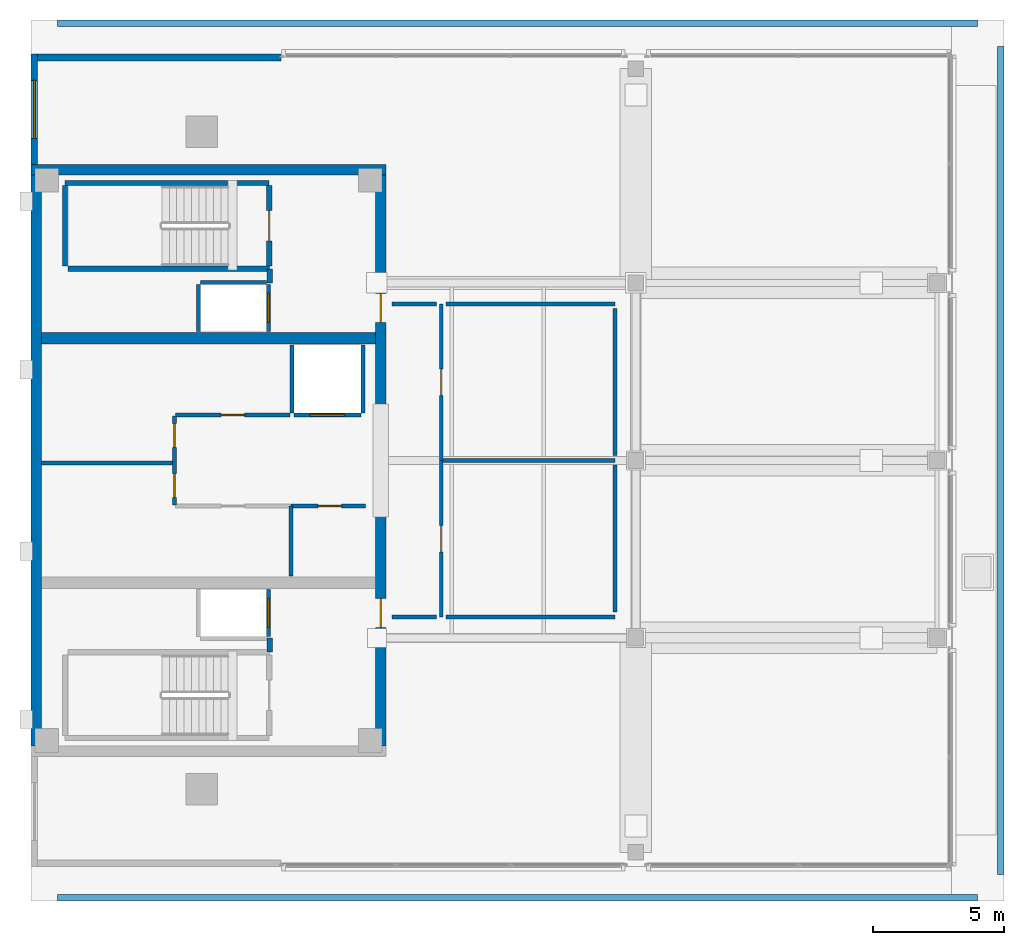
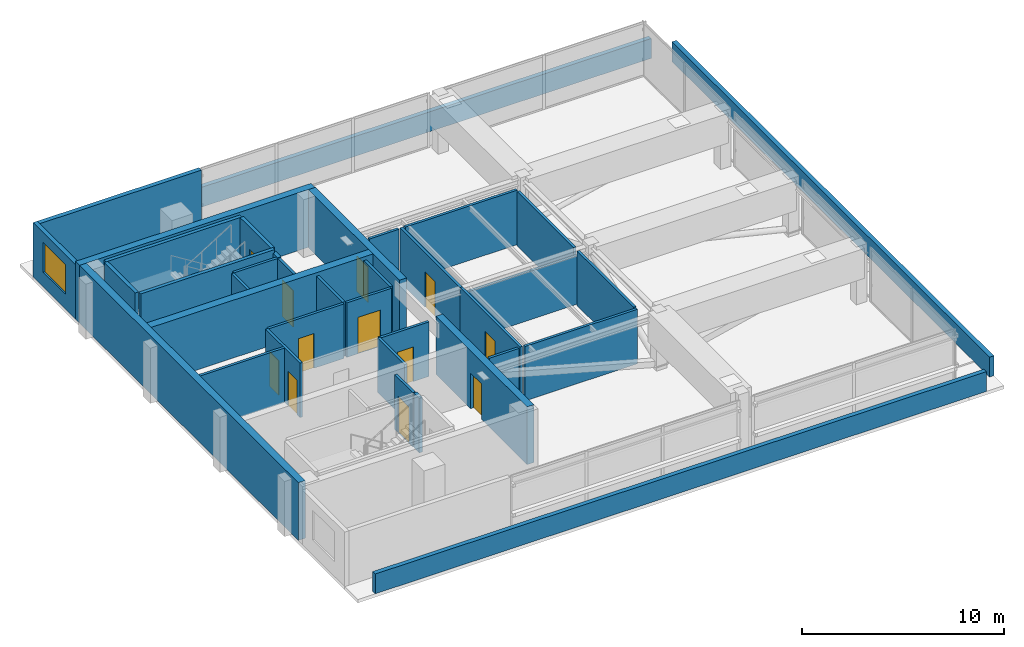
# One storey, part 6 of 11: 37 walls, 12 doors, 1 window, 13 openings.
"""IFC4 building model written with IfcOpenShell, lengths in metres."""

import ifcopenshell
import ifcopenshell.guid

model = None  # the IFC model being written
_history = None  # IfcOwnerHistory: only IFC2X3 demands one
_inside = {}  # id of a spatial element -> (the spatial element, [elements in it])
_under = {}  # id of a project, library or spatial element -> (it, [spatial elements below it])
_declared = {}  # id of a project -> (the project, [libraries it declares])
_typed = {}  # id of a type object -> (the type object, [elements of that type])
_made_of = {}  # id of a material, layer set ... -> (it, [elements and type objects made of it])


def new_model(schema):
    """Start an empty IFC model of exactly this schema.

    Asked for "IFC4X3", IfcOpenShell would pick the latest addendum, in which some entities
    have other attributes; the version numbers below select the first issue.
    IFC2X3 requires an IfcOwnerHistory on every rooted entity: one is made here for all.
    """
    global model, _history
    if schema == "IFC4X3":
        model = ifcopenshell.file(schema_version=(4, 3, 0, 0))
    else:
        model = ifcopenshell.file(schema=schema)
    _inside.clear()
    _under.clear()
    _declared.clear()
    _typed.clear()
    _made_of.clear()
    _history = None
    if model.schema == "IFC2X3":
        org = make("IfcOrganization", Name="unknown")
        user = make(
            "IfcPersonAndOrganization",
            ThePerson=make("IfcPerson", FamilyName="unknown"),
            TheOrganization=org,
        )
        app = make(
            "IfcApplication",
            ApplicationDeveloper=org,
            Version="unknown",
            ApplicationFullName="unknown",
            ApplicationIdentifier="unknown",
        )
        _history = make(
            "IfcOwnerHistory",
            OwningUser=user,
            OwningApplication=app,
            ChangeAction="ADDED",
            CreationDate=0,
        )
    return model


def make(cls, **values):
    """One entity of the class cls with the attributes given. An attribute that is None is left unset."""
    return model.create_entity(
        cls, **{name: value for name, value in values.items() if value is not None}
    )


def rooted(cls, **values):
    """An entity with a GlobalId (a new one), such as an element, a storey or a relation."""
    return make(cls, GlobalId=ifcopenshell.guid.new(), OwnerHistory=_history, **values)


def si_unit(unit_type, name, prefix=None):
    """IfcSIUnit, for example si_unit("LENGTHUNIT", "METRE", prefix="MILLI")."""
    return make("IfcSIUnit", UnitType=unit_type, Prefix=prefix, Name=name)


def assignment(units):
    """IfcUnitAssignment: the units of a project."""
    return None if units is None else make("IfcUnitAssignment", Units=units)


def point(xyz):
    """IfcCartesianPoint."""
    return None if xyz is None else make("IfcCartesianPoint", Coordinates=xyz)


def direction(xyz):
    """IfcDirection."""
    return None if xyz is None else make("IfcDirection", DirectionRatios=xyz)


def frame(location, z_axis=None, x_axis=None):
    """IfcAxis2Placement3D, a coordinate frame: its origin and axes. An axis left out is left unset."""
    return make(
        "IfcAxis2Placement3D",
        Location=point(location),
        Axis=direction(z_axis),
        RefDirection=direction(x_axis),
    )


def frame_2d(location, x_axis=None):
    """IfcAxis2Placement2D, a coordinate frame in the plane: its origin and x axis."""
    return make(
        "IfcAxis2Placement2D", Location=point(location), RefDirection=direction(x_axis)
    )


def origin():
    """The frame at (0, 0, 0) with its axes left unset."""
    return frame((0.0, 0.0, 0.0))


def place(relative_to, where):
    """IfcLocalPlacement: puts the frame where relative to a parent placement (None: the world)."""
    return make(
        "IfcLocalPlacement", PlacementRelTo=relative_to, RelativePlacement=where
    )


def context(
    kind, dimensions, precision=None, world=None, true_north=None, identifier=None
):
    """IfcGeometricRepresentationContext, for example the 3D "Model" context."""
    return make(
        "IfcGeometricRepresentationContext",
        ContextIdentifier=identifier,
        ContextType=kind,
        CoordinateSpaceDimension=dimensions,
        Precision=precision,
        WorldCoordinateSystem=world,
        TrueNorth=true_north,
    )


def subcontext(parent, identifier, kind, view, scale=None):
    """IfcGeometricRepresentationSubContext, for example "Body" below "Model"."""
    return make(
        "IfcGeometricRepresentationSubContext",
        ContextIdentifier=identifier,
        ContextType=kind,
        ParentContext=parent,
        TargetScale=scale,
        TargetView=view,
    )


def project(units=None, contexts=None):
    """IfcProject with its units and contexts."""
    return rooted(
        "IfcProject",
        Name="project",
        RepresentationContexts=contexts,
        UnitsInContext=assignment(units),
    )


def spatial(cls, under=None, at=None, **own):
    """A site, building, storey or space (cls), placed at a placement, below another one or the project."""
    s = rooted(cls, ObjectPlacement=at, **own)
    if under is not None:
        _under.setdefault(under.id(), (under, []))[1].append(s)
    return s


def profile(cls, at=None, kind="AREA", **sizes):
    """A parametric profile (cls). Its sizes go by their IFC names, for example OverallWidth=200.0."""
    return make(cls, ProfileType=kind, Position=at, **sizes)


def rectangle(**sizes):
    """IfcRectangleProfileDef."""
    return profile("IfcRectangleProfileDef", **sizes)


def extrude(swept, where, along, depth):
    """IfcExtrudedAreaSolid: the profile swept, set in the frame where, extruded along a direction by depth."""
    return make(
        "IfcExtrudedAreaSolid",
        SweptArea=swept,
        Position=where,
        ExtrudedDirection=direction(along),
        Depth=depth,
    )


def shape(context_of_items, identifier, shape_type, items):
    """IfcShapeRepresentation: the items that make up one representation, for example the "Body"."""
    return make(
        "IfcShapeRepresentation",
        ContextOfItems=context_of_items,
        RepresentationIdentifier=identifier,
        RepresentationType=shape_type,
        Items=items,
    )


def material(Name=None, Category=None):
    """IfcMaterial."""
    return make("IfcMaterial", Name=Name, Category=Category)


def layer(
    of_material, thickness, ventilated=None, Name=None, Category=None, Priority=None
):
    """IfcMaterialLayer: one layer of a wall or slab, of a material (None: an air gap)."""
    return make(
        "IfcMaterialLayer",
        Material=of_material,
        LayerThickness=thickness,
        IsVentilated=ventilated,
        Name=Name,
        Category=Category,
        Priority=Priority,
    )


def layer_set(layers, Name=None):
    """IfcMaterialLayerSet."""
    return make("IfcMaterialLayerSet", MaterialLayers=layers, LayerSetName=Name)


def made_of(thing, what):
    """Note that an element or type object is made of a material, layer set ...; save() writes the relation."""
    if what is not None:
        _made_of.setdefault(what.id(), (what, []))[1].append(thing)
    return thing


def type_object(cls, material=None, **own):
    """A type object (cls), such as IfcWallType, which elements share."""
    return made_of(rooted(cls, **own), material)


def element(
    cls,
    number,
    at=None,
    inside=None,
    cuts=None,
    type_object=None,
    material=None,
    context=None,
    identifier="Body",
    shape_type=None,
    held_by="IfcProductDefinitionShape",
    body=None,
    shapes=None,
    **own,
):
    """One element of the class cls, such as IfcWall. Its Tag is "e" and its number.

    at: its placement. inside: the storey or other place that contains it. cuts: it is an
    opening in that element (IfcRelVoidsElement). A single representation is given by context,
    identifier, shape_type and body (its items); several are given by shapes. held_by: the class
    of the entity that holds the representations. save() writes the other relations.
    """
    e = rooted(cls, Tag="e%d" % number, ObjectPlacement=at, **own)
    if body is not None:
        shapes = [shape(context, identifier, shape_type, body)]
    if shapes is not None:
        e.Representation = make(held_by, Representations=shapes)
    if inside is not None:
        _inside.setdefault(inside.id(), (inside, []))[1].append(e)
    if cuts is not None:
        rooted(
            "IfcRelVoidsElement", RelatingBuildingElement=cuts, RelatedOpeningElement=e
        )
    if type_object is not None:
        _typed.setdefault(type_object.id(), (type_object, []))[1].append(e)
    return made_of(e, material)


def fill(opening, filler):
    """IfcRelFillsElement: the door or window that sits in an opening."""
    return rooted(
        "IfcRelFillsElement",
        RelatingOpeningElement=opening,
        RelatedBuildingElement=filler,
    )


def aggregate(whole, parts):
    """IfcRelAggregates: a whole, such as a stair, and the parts it consists of."""
    return rooted("IfcRelAggregates", RelatingObject=whole, RelatedObjects=parts)


def save(model, path):
    """Write the relations noted so far, then the file.

    IfcRelAggregates (storeys below a building ...), IfcRelContainedInSpatialStructure (elements
    in a storey), IfcRelDefinesByType, IfcRelAssociatesMaterial and IfcRelDeclares: one each for
    every whole, place, type object, material and project.
    """
    for whole, parts in _under.values():
        aggregate(whole, parts)
    for where, things in _inside.values():
        rooted(
            "IfcRelContainedInSpatialStructure",
            RelatedElements=things,
            RelatingStructure=where,
        )
    for kind, things in _typed.values():
        rooted("IfcRelDefinesByType", RelatedObjects=things, RelatingType=kind)
    for what, things in _made_of.values():
        rooted("IfcRelAssociatesMaterial", RelatedObjects=things, RelatingMaterial=what)
    for by, libraries in _declared.values():
        rooted("IfcRelDeclares", RelatingContext=by, RelatedDefinitions=libraries)
    model.write(path)


model = new_model("IFC4")

# Units and contexts
model_context = context("Model", 3, precision=1e-05, world=origin(), true_north=direction((0.0, 1.0)))
body_context = subcontext(model_context, "Body", "Model", "MODEL_VIEW")
ifc_project = project(units=[si_unit("LENGTHUNIT", "METRE"), si_unit("AREAUNIT", "SQUARE_METRE"), si_unit("VOLUMEUNIT", "CUBIC_METRE"), si_unit("PLANEANGLEUNIT", "RADIAN"), si_unit("MASSUNIT", "GRAM", prefix="KILO")], contexts=[model_context])

# Site, building, storey
site_placement = place(None, origin())
site = spatial("IfcSite", under=ifc_project, at=site_placement, CompositionType="ELEMENT")
building_placement = place(site_placement, origin())
building = spatial("IfcBuilding", under=site, at=building_placement, Name="Kinhvarn Gate Tower", CompositionType="ELEMENT")
storey_placement = place(building_placement, frame((0.0, 0.0, 307.550048828125)))
storey = spatial("IfcBuildingStorey", under=building, at=storey_placement, Name="L81", CompositionType="ELEMENT", Elevation=307.550048828125)

# Wall
ifc_material_1 = material(Name="Concrete C50/60", Category="concrete")
ifc_layer_1 = layer(ifc_material_1, 0.39990234375)
ifc_layer_set_1 = layer_set([ifc_layer_1], Name="Concrete C50/60")
wall_type_1 = type_object("IfcWallType", Name="WL-CORE-400", PredefinedType="SHEAR", material=ifc_layer_set_1)
wall_1_placement = place(storey_placement, frame((4.5, 36.300048828125, 0.0), z_axis=(0.0, 0.0, 1.0), x_axis=(1.0, 0.0, 0.0)))
element("IfcWall", 1, at=wall_1_placement, inside=storey, type_object=wall_type_1, Name="Core North Shear Wall L81 400 mm", PredefinedType="SHEAR", context=body_context, shape_type="SweptSolid", body=[
    extrude(rectangle(XDim=13.5, YDim=0.39990234375, at=frame_2d((6.75, 0.0))), origin(), (0.0, 0.0, 1.0), 3.5),
])

# Wall, opening, door
wall_2_placement = place(storey_placement, frame((17.800048828125, 14.39990234375, 0.0), z_axis=(0.0, 0.0, 1.0), x_axis=(0.0, 1.0, 0.0)))
wall_2 = element("IfcWall", 2, at=wall_2_placement, inside=storey, type_object=wall_type_1, Name="Core East-South Shear Pier L81 400 mm", PredefinedType="SHEAR", context=body_context, shape_type="SweptSolid", body=[
    extrude(rectangle(XDim=9.050048828125, YDim=0.39990234375, at=frame_2d((4.52490234375, 0.0))), origin(), (0.0, 0.0, 1.0), 3.5),
])
opening_1_placement = place(wall_2_placement, frame((4.5, 0.0, 0.0)))
opening_1 = element("IfcOpeningElement", 3, at=opening_1_placement, cuts=wall_2, Name="Opening FD-02", PredefinedType="OPENING", context=body_context, shape_type="SweptSolid", body=[
    extrude(rectangle(XDim=1.10009765625, YDim=2.14990234375, at=frame_2d((0.550048828125, 1.074951171875))), frame((0.0, 0.2099609375, 0.0), z_axis=(0.0, -1.0, 0.0), x_axis=(1.0, 0.0, 0.0)), (0.0, 0.0, 1.0), 0.419921875),
])
ifc_material_2 = material(Name="Anodised aluminium AW-6063", Category="aluminium")
door_type_1 = type_object("IfcDoorType", Name="DR-FD-1100", OperationType="NOTDEFINED", PredefinedType="DOOR", material=ifc_material_2)
door_1_placement = place(opening_1_placement, origin())
door_1 = element("IfcDoor", 4, at=door_1_placement, inside=storey, type_object=door_type_1, Name="Firefighting Lobby Core Door (L81)", OperationType="SINGLE_SWING_RIGHT", OverallHeight=2.14990234375, OverallWidth=1.10009765625, PredefinedType="DOOR", context=body_context, shape_type="SweptSolid", body=[
    extrude(rectangle(XDim=1.10009765625, YDim=2.14990234375, at=frame_2d((0.550048828125, 1.074951171875))), frame((0.0, 0.02490234375, 0.0), z_axis=(0.0, -1.0, 0.0), x_axis=(1.0, 0.0, 0.0)), (0.0, 0.0, 1.0), 0.050048828125),
])
fill(opening_1, door_1)

wall_3_placement = place(storey_placement, frame((17.800048828125, 27.050048828125, 0.0), z_axis=(0.0, 0.0, 1.0), x_axis=(0.0, 1.0, 0.0)))
wall_3 = element("IfcWall", 5, at=wall_3_placement, inside=storey, type_object=wall_type_1, Name="Core East-North Shear Pier L81 400 mm", PredefinedType="SHEAR", context=body_context, shape_type="SweptSolid", body=[
    extrude(rectangle(XDim=9.050048828125, YDim=0.39990234375, at=frame_2d((4.52490234375, 0.0))), origin(), (0.0, 0.0, 1.0), 3.5),
])
opening_2_placement = place(wall_3_placement, frame((3.449951171875, 0.0, 0.0)))
opening_2 = element("IfcOpeningElement", 6, at=opening_2_placement, cuts=wall_3, Name="Opening FD-02", PredefinedType="OPENING", context=body_context, shape_type="SweptSolid", body=[
    extrude(rectangle(XDim=1.10009765625, YDim=2.14990234375, at=frame_2d((0.550048828125, 1.074951171875))), frame((0.0, 0.2099609375, 0.0), z_axis=(0.0, -1.0, 0.0), x_axis=(1.0, 0.0, 0.0)), (0.0, 0.0, 1.0), 0.419921875),
])
door_2_placement = place(opening_2_placement, origin())
door_2 = element("IfcDoor", 7, at=door_2_placement, inside=storey, type_object=door_type_1, Name="Firefighting Lobby Core Door (L81)", OperationType="SINGLE_SWING_LEFT", OverallHeight=2.14990234375, OverallWidth=1.10009765625, PredefinedType="DOOR", context=body_context, shape_type="SweptSolid", body=[
    extrude(rectangle(XDim=1.10009765625, YDim=2.14990234375, at=frame_2d((0.550048828125, 1.074951171875))), frame((0.0, 0.02490234375, 0.0), z_axis=(0.0, -1.0, 0.0), x_axis=(1.0, 0.0, 0.0)), (0.0, 0.0, 1.0), 0.050048828125),
])
fill(opening_2, door_2)

# Walls
ifc_layer_2 = layer(ifc_material_1, 0.449951171875)
ifc_layer_set_2 = layer_set([ifc_layer_2], Name="Concrete C50/60")
wall_type_2 = type_object("IfcWallType", Name="WL-CORE-450", PredefinedType="SHEAR", material=ifc_layer_set_2)
wall_4_placement = place(storey_placement, frame((4.89990234375, 29.89990234375, 0.0), z_axis=(0.0, 0.0, 1.0), x_axis=(1.0, 0.0, 0.0)))
element("IfcWall", 8, at=wall_4_placement, inside=storey, type_object=wall_type_2, Name="Core North Spine Shear Wall L81 450 mm", PredefinedType="SHEAR", context=body_context, shape_type="SweptSolid", body=[
    extrude(rectangle(XDim=12.7001953125, YDim=0.449951171875, at=frame_2d((6.35009765625, 0.0))), origin(), (0.0, 0.0, 1.0), 3.5),
])
ifc_layer_3 = layer(ifc_material_1, 0.39990234375)
ifc_layer_set_3 = layer_set([ifc_layer_3], Name="Concrete C50/60")
wall_type_3 = type_object("IfcWallType", Name="WL-COREX-400", PredefinedType="SHEAR", material=ifc_layer_set_3)
wall_5_placement = place(storey_placement, frame((4.699951171875, 14.39990234375, 0.0), z_axis=(0.0, 0.0, 1.0), x_axis=(0.0, 1.0, 0.0)))
element("IfcWall", 9, at=wall_5_placement, inside=storey, type_object=wall_type_3, Name="Core West Shear Wall L81 400 mm", PredefinedType="SHEAR", context=body_context, shape_type="SweptSolid", body=[
    extrude(rectangle(XDim=21.7001953125, YDim=0.39990234375, at=frame_2d((10.85009765625, 0.0))), origin(), (0.0, 0.0, 1.0), 3.5),
])

# Wall, opening, window
ifc_material_3 = material(Name="Fired architectural terracotta", Category="masonry")
ifc_layer_4 = layer(ifc_material_3, 0.25)
ifc_layer_set_4 = layer_set([ifc_layer_4], Name="Fired architectural terracotta")
wall_type_4 = type_object("IfcWallType", Name="WL-EXT-250", PredefinedType="SOLIDWALL", material=ifc_layer_set_4)
wall_6_placement = place(storey_placement, frame((4.625, 40.699951171875, 0.0), z_axis=(0.0, 0.0, 1.0), x_axis=(0.0, -1.0, 0.0)))
wall_6 = element("IfcWall", 10, at=wall_6_placement, inside=storey, type_object=wall_type_4, Name="Exterior Solidwall Wall EW-250 (L81 West-North)", PredefinedType="SOLIDWALL", context=body_context, shape_type="SweptSolid", body=[
    extrude(rectangle(XDim=4.199951171875, YDim=0.25, at=frame_2d((2.10009765625, 0.0))), origin(), (0.0, 0.0, 1.0), 3.300048828125),
])
opening_3_placement = place(wall_6_placement, frame((1.0, 0.0, 0.89990234375)))
opening_3 = element("IfcOpeningElement", 11, at=opening_3_placement, cuts=wall_6, Name="Opening WN-01", PredefinedType="OPENING", context=body_context, shape_type="SweptSolid", body=[
    extrude(rectangle(XDim=2.199951171875, YDim=1.800048828125, at=frame_2d((1.10009765625, 0.89990234375))), frame((0.0, 0.135009765625, 0.0), z_axis=(0.0, -1.0, 0.0), x_axis=(1.0, 0.0, 0.0)), (0.0, 0.0, 1.0), 0.27001953125),
])
ifc_material_4 = material(Name="Clear low-e double glazing", Category="glass")
window_type = type_object("IfcWindowType", Name="WIN-RIB-2200", PartitioningType="SINGLE_PANEL", PredefinedType="WINDOW", material=ifc_material_4)
window_placement = place(opening_3_placement, origin())
window = element("IfcWindow", 12, at=window_placement, inside=storey, type_object=window_type, Name="West Flank Double-Glazed Ribbon Window 2200x1800 mm (L81)", OverallHeight=1.800048828125, OverallWidth=2.199951171875, PartitioningType="SINGLE_PANEL", PredefinedType="WINDOW", context=body_context, shape_type="SweptSolid", body=[
    extrude(rectangle(XDim=2.199951171875, YDim=1.800048828125, at=frame_2d((1.10009765625, 0.89990234375))), frame((0.0, 0.030029296875, 0.0), z_axis=(0.0, -1.0, 0.0), x_axis=(1.0, 0.0, 0.0)), (0.0, 0.0, 1.0), 0.06005859375),
])
fill(opening_3, window)

# Walls
wall_7_placement = place(storey_placement, frame((14.0, 40.574951171875, 0.0), z_axis=(0.0, 0.0, 1.0), x_axis=(-1.0, 0.0, 0.0)))
element("IfcWall", 13, at=wall_7_placement, inside=storey, type_object=wall_type_4, Name="Exterior Solidwall Wall EW-250 (L81 Crown-Core-N)", PredefinedType="SOLIDWALL", context=body_context, shape_type="SweptSolid", body=[
    extrude(rectangle(XDim=9.5, YDim=0.25, at=frame_2d((4.75, 0.0))), origin(), (0.0, 0.0, 1.0), 3.300048828125),
])
ifc_layer_5 = layer(ifc_material_3, 0.25)
ifc_layer_set_5 = layer_set([ifc_layer_5], Name="Fired architectural terracotta")
wall_type_5 = type_object("IfcWallType", Name="WL-PAR-250", PredefinedType="PARAPET", material=ifc_layer_set_5)
wall_8_placement = place(storey_placement, frame((41.375, 9.5, 0.0), z_axis=(0.0, 0.0, 1.0), x_axis=(0.0, 1.0, 0.0)))
element("IfcWall", 14, at=wall_8_placement, inside=storey, type_object=wall_type_5, Name="Exterior Parapet Wall PRW-250 (L81 Crown-Step-Parapet-E)", PredefinedType="PARAPET", context=body_context, shape_type="SweptSolid", body=[
    extrude(rectangle(XDim=31.5, YDim=0.25, at=frame_2d((15.75, 0.0))), origin(), (0.0, 0.0, 1.0), 1.199951171875),
])
for number, where, z_axis, x_axis, name in (
    (15, (5.5, 8.625, 0.0), (0.0, 0.0, 1.0), (1.0, 0.0, 0.0), "Exterior Parapet Wall PRW-250 (L81 Crown-Step-Parapet-S)"),
    (16, (40.5, 41.875, 0.0), (0.0, 0.0, 1.0), (-1.0, 0.0, 0.0), "Exterior Parapet Wall PRW-250 (L81 Crown-Step-Parapet-N)"),
):
    element("IfcWall", number, at=place(storey_placement, frame(where, z_axis=z_axis, x_axis=x_axis)), inside=storey, type_object=wall_type_5, Name=name, PredefinedType="PARAPET", context=body_context, shape_type="SweptSolid", body=[
        extrude(rectangle(XDim=35.0, YDim=0.25, at=frame_2d((17.5, 0.0))), origin(), (0.0, 0.0, 1.0), 1.199951171875),
    ])
ifc_material_5 = material(Name="Gypsum acoustic partition board")
ifc_layer_6 = layer(ifc_material_5, 0.14990234375)
ifc_layer_set_6 = layer_set([ifc_layer_6], Name="Gypsum acoustic partition board")
wall_type_6 = type_object("IfcWallType", Name="WL-PRT-150F", PredefinedType="PARTITIONING", material=ifc_layer_set_6)
wall_9_placement = place(storey_placement, frame((4.89990234375, 25.14990234375, 0.0), z_axis=(0.0, 0.0, 1.0), x_axis=(1.0, 0.0, 0.0)))
element("IfcWall", 17, at=wall_9_placement, inside=storey, type_object=wall_type_6, Name="Interior Partition PW-150F (L81)", PredefinedType="PARTITIONING", context=body_context, shape_type="SweptSolid", body=[
    extrude(rectangle(XDim=5.050048828125, YDim=0.14990234375, at=frame_2d((2.52490234375, 0.0))), origin(), (0.0, 0.0, 1.0), 3.300048828125),
])

# Wall, openings, doors
wall_10_placement = place(storey_placement, frame((9.949951171875, 23.550048828125, 0.0), z_axis=(0.0, 0.0, 1.0), x_axis=(0.0, 1.0, 0.0)))
wall_10 = element("IfcWall", 18, at=wall_10_placement, inside=storey, type_object=wall_type_6, Name="Interior Partition PW-150F (L81)", PredefinedType="PARTITIONING", context=body_context, shape_type="SweptSolid", body=[
    extrude(rectangle(XDim=3.39990234375, YDim=0.14990234375, at=frame_2d((1.699951171875, 0.0))), origin(), (0.0, 0.0, 1.0), 3.300048828125),
])
opening_4_placement = place(wall_10_placement, frame((0.298095703125, 0.0, 0.0)))
opening_4 = element("IfcOpeningElement", 19, at=opening_4_placement, cuts=wall_10, Name="Opening FD-04", PredefinedType="OPENING", context=body_context, shape_type="SweptSolid", body=[
    extrude(rectangle(XDim=0.89990234375, YDim=2.10009765625, at=frame_2d((0.449951171875, 1.050048828125))), frame((0.0, 0.0849609375, 0.0), z_axis=(0.0, -1.0, 0.0), x_axis=(1.0, 0.0, 0.0)), (0.0, 0.0, 1.0), 0.169921875),
])
opening_5_placement = place(wall_10_placement, frame((2.201904296875, 0.0, 0.0)))
opening_5 = element("IfcOpeningElement", 20, at=opening_5_placement, cuts=wall_10, Name="Opening FD-04", PredefinedType="OPENING", context=body_context, shape_type="SweptSolid", body=[
    extrude(rectangle(XDim=0.89990234375, YDim=2.10009765625, at=frame_2d((0.449951171875, 1.050048828125))), frame((0.0, 0.0849609375, 0.0), z_axis=(0.0, -1.0, 0.0), x_axis=(1.0, 0.0, 0.0)), (0.0, 0.0, 1.0), 0.169921875),
])
door_type_2 = type_object("IfcDoorType", Name="DR-FD-900", OperationType="NOTDEFINED", PredefinedType="DOOR", material=ifc_material_2)
door_3_placement = place(opening_4_placement, origin())
door_3 = element("IfcDoor", 21, at=door_3_placement, inside=storey, type_object=door_type_2, Name="Rated Riser & Service Closet Fire Door 900x2100 mm (L81)", OperationType="SINGLE_SWING_LEFT", OverallHeight=2.10009765625, OverallWidth=0.89990234375, PredefinedType="DOOR", context=body_context, shape_type="SweptSolid", body=[
    extrude(rectangle(XDim=0.89990234375, YDim=2.10009765625, at=frame_2d((0.449951171875, 1.050048828125))), frame((0.0, 0.02490234375, 0.0), z_axis=(0.0, -1.0, 0.0), x_axis=(1.0, 0.0, 0.0)), (0.0, 0.0, 1.0), 0.050048828125),
])
fill(opening_4, door_3)
door_4_placement = place(opening_5_placement, origin())
door_4 = element("IfcDoor", 22, at=door_4_placement, inside=storey, type_object=door_type_2, Name="Rated Riser & Service Closet Fire Door 900x2100 mm (L81)", OperationType="SINGLE_SWING_RIGHT", OverallHeight=2.10009765625, OverallWidth=0.89990234375, PredefinedType="DOOR", context=body_context, shape_type="SweptSolid", body=[
    extrude(rectangle(XDim=0.89990234375, YDim=2.10009765625, at=frame_2d((0.449951171875, 1.050048828125))), frame((0.0, 0.02490234375, 0.0), z_axis=(0.0, -1.0, 0.0), x_axis=(1.0, 0.0, 0.0)), (0.0, 0.0, 1.0), 0.050048828125),
])
fill(opening_5, door_4)

# Wall, opening, door
wall_11_placement = place(storey_placement, frame((10.0, 26.97998046875, 0.0), z_axis=(0.0, 0.0, 1.0), x_axis=(1.0, 0.0, 0.0)))
wall_11 = element("IfcWall", 23, at=wall_11_placement, inside=storey, type_object=wall_type_6, Name="Interior Partition PW-150F (L81)", PredefinedType="PARTITIONING", context=body_context, shape_type="SweptSolid", body=[
    extrude(rectangle(XDim=4.35009765625, YDim=0.14990234375, at=frame_2d((2.175048828125, 0.0))), origin(), (0.0, 0.0, 1.0), 3.300048828125),
])
opening_6_placement = place(wall_11_placement, frame((1.72509765625, 0.0, 0.0)))
opening_6 = element("IfcOpeningElement", 24, at=opening_6_placement, cuts=wall_11, Name="Opening FD-04", PredefinedType="OPENING", context=body_context, shape_type="SweptSolid", body=[
    extrude(rectangle(XDim=0.89990234375, YDim=2.10009765625, at=frame_2d((0.449951171875, 1.050048828125))), frame((0.0, 0.0849609375, 0.0), z_axis=(0.0, -1.0, 0.0), x_axis=(1.0, 0.0, 0.0)), (0.0, 0.0, 1.0), 0.169921875),
])
door_5_placement = place(opening_6_placement, origin())
door_5 = element("IfcDoor", 25, at=door_5_placement, inside=storey, type_object=door_type_2, Name="Rated Riser & Service Closet Fire Door 900x2100 mm (L81)", OperationType="SINGLE_SWING_RIGHT", OverallHeight=2.10009765625, OverallWidth=0.89990234375, PredefinedType="DOOR", context=body_context, shape_type="SweptSolid", body=[
    extrude(rectangle(XDim=0.89990234375, YDim=2.10009765625, at=frame_2d((0.449951171875, 1.050048828125))), frame((0.0, 0.02490234375, 0.0), z_axis=(0.0, -1.0, 0.0), x_axis=(1.0, 0.0, 0.0)), (0.0, 0.0, 1.0), 0.050048828125),
])
fill(opening_6, door_5)

# Wall
wall_12_placement = place(storey_placement, frame((14.3798828125, 20.85009765625, 0.0), z_axis=(0.0, 0.0, 1.0), x_axis=(0.0, 1.0, 0.0)))
element("IfcWall", 26, at=wall_12_placement, inside=storey, type_object=wall_type_6, Name="Interior Partition PW-150F (L81)", PredefinedType="PARTITIONING", context=body_context, shape_type="SweptSolid", body=[
    extrude(rectangle(XDim=2.669921875, YDim=0.14990234375, at=frame_2d((1.3349609375, 0.0))), origin(), (0.0, 0.0, 1.0), 3.300048828125),
])

# Wall, opening, door
wall_13_placement = place(storey_placement, frame((14.3798828125, 23.52001953125, 0.0), z_axis=(0.0, 0.0, 1.0), x_axis=(1.0, 0.0, 0.0)))
wall_13 = element("IfcWall", 27, at=wall_13_placement, inside=storey, type_object=wall_type_6, Name="Interior Partition PW-150F (L81)", PredefinedType="PARTITIONING", context=body_context, shape_type="SweptSolid", body=[
    extrude(rectangle(XDim=2.840087890625, YDim=0.14990234375, at=frame_2d((1.419921875, 0.0))), origin(), (0.0, 0.0, 1.0), 3.300048828125),
])
opening_7_placement = place(wall_13_placement, frame((1.02685546875, 0.0, 0.0)))
opening_7 = element("IfcOpeningElement", 28, at=opening_7_placement, cuts=wall_13, Name="Opening FD-04", PredefinedType="OPENING", context=body_context, shape_type="SweptSolid", body=[
    extrude(rectangle(XDim=0.89990234375, YDim=2.10009765625, at=frame_2d((0.449951171875, 1.050048828125))), frame((0.0, 0.0849609375, 0.0), z_axis=(0.0, -1.0, 0.0), x_axis=(1.0, 0.0, 0.0)), (0.0, 0.0, 1.0), 0.169921875),
])
door_6_placement = place(opening_7_placement, origin())
door_6 = element("IfcDoor", 29, at=door_6_placement, inside=storey, type_object=door_type_2, Name="Rated Riser & Service Closet Fire Door 900x2100 mm (L81)", OperationType="SINGLE_SWING_LEFT", OverallHeight=2.10009765625, OverallWidth=0.89990234375, PredefinedType="DOOR", context=body_context, shape_type="SweptSolid", body=[
    extrude(rectangle(XDim=0.89990234375, YDim=2.10009765625, at=frame_2d((0.449951171875, 1.050048828125))), frame((0.0, 0.02490234375, 0.0), z_axis=(0.0, -1.0, 0.0), x_axis=(1.0, 0.0, 0.0)), (0.0, 0.0, 1.0), 0.050048828125),
])
fill(opening_7, door_6)

wall_14_placement = place(storey_placement, frame((20.10009765625, 19.300048828125, 0.0), z_axis=(0.0, 0.0, 1.0), x_axis=(0.0, 1.0, 0.0)))
wall_14 = element("IfcWall", 30, at=wall_14_placement, inside=storey, type_object=wall_type_6, Name="Interior Partition PW-150F (L81)", PredefinedType="PARTITIONING", context=body_context, shape_type="SweptSolid", body=[
    extrude(rectangle(XDim=5.949951171875, YDim=0.14990234375, at=frame_2d((2.97509765625, 0.0))), origin(), (0.0, 0.0, 1.0), 3.300048828125),
])
opening_8_placement = place(wall_14_placement, frame((2.47509765625, 0.0, 0.0)))
opening_8 = element("IfcOpeningElement", 31, at=opening_8_placement, cuts=wall_14, Name="Opening FD-03", PredefinedType="OPENING", context=body_context, shape_type="SweptSolid", body=[
    extrude(rectangle(XDim=1.0, YDim=2.14990234375, at=frame_2d((0.5, 1.074951171875))), frame((0.0, 0.0849609375, 0.0), z_axis=(0.0, -1.0, 0.0), x_axis=(1.0, 0.0, 0.0)), (0.0, 0.0, 1.0), 0.169921875),
])
door_type_3 = type_object("IfcDoorType", Name="DR-FD-1000", OperationType="NOTDEFINED", PredefinedType="DOOR", material=ifc_material_2)
door_7_placement = place(opening_8_placement, origin())
door_7 = element("IfcDoor", 32, at=door_7_placement, inside=storey, type_object=door_type_3, Name="Rated Plant & Corridor Fire Door 1000x2150 mm (L81)", OperationType="SINGLE_SWING_RIGHT", OverallHeight=2.14990234375, OverallWidth=1.0, PredefinedType="DOOR", context=body_context, shape_type="SweptSolid", body=[
    extrude(rectangle(XDim=1.0, YDim=2.14990234375, at=frame_2d((0.5, 1.074951171875))), frame((0.0, 0.02490234375, 0.0), z_axis=(0.0, -1.0, 0.0), x_axis=(1.0, 0.0, 0.0)), (0.0, 0.0, 1.0), 0.050048828125),
])
fill(opening_8, door_7)

wall_15_placement = place(storey_placement, frame((20.10009765625, 25.25, 0.0), z_axis=(0.0, 0.0, 1.0), x_axis=(0.0, 1.0, 0.0)))
wall_15 = element("IfcWall", 33, at=wall_15_placement, inside=storey, type_object=wall_type_6, Name="Interior Partition PW-150F (L81)", PredefinedType="PARTITIONING", context=body_context, shape_type="SweptSolid", body=[
    extrude(rectangle(XDim=5.949951171875, YDim=0.14990234375, at=frame_2d((2.97509765625, 0.0))), origin(), (0.0, 0.0, 1.0), 3.300048828125),
])
opening_9_placement = place(wall_15_placement, frame((2.47509765625, 0.0, 0.0)))
opening_9 = element("IfcOpeningElement", 34, at=opening_9_placement, cuts=wall_15, Name="Opening FD-03", PredefinedType="OPENING", context=body_context, shape_type="SweptSolid", body=[
    extrude(rectangle(XDim=1.0, YDim=2.14990234375, at=frame_2d((0.5, 1.074951171875))), frame((0.0, 0.0849609375, 0.0), z_axis=(0.0, -1.0, 0.0), x_axis=(1.0, 0.0, 0.0)), (0.0, 0.0, 1.0), 0.169921875),
])
door_8_placement = place(opening_9_placement, origin())
door_8 = element("IfcDoor", 35, at=door_8_placement, inside=storey, type_object=door_type_3, Name="Rated Plant & Corridor Fire Door 1000x2150 mm (L81)", OperationType="SINGLE_SWING_LEFT", OverallHeight=2.14990234375, OverallWidth=1.0, PredefinedType="DOOR", context=body_context, shape_type="SweptSolid", body=[
    extrude(rectangle(XDim=1.0, YDim=2.14990234375, at=frame_2d((0.5, 1.074951171875))), frame((0.0, 0.02490234375, 0.0), z_axis=(0.0, -1.0, 0.0), x_axis=(1.0, 0.0, 0.0)), (0.0, 0.0, 1.0), 0.050048828125),
])
fill(opening_9, door_8)

# Walls
wall_16_placement = place(storey_placement, frame((20.10009765625, 25.25, 0.0), z_axis=(0.0, 0.0, 1.0), x_axis=(1.0, 0.0, 0.0)))
element("IfcWall", 36, at=wall_16_placement, inside=storey, type_object=wall_type_6, Name="Interior Partition PW-150F (L81)", PredefinedType="PARTITIONING", context=body_context, shape_type="SweptSolid", body=[
    extrude(rectangle(XDim=6.599853515625, YDim=0.14990234375, at=frame_2d((3.2998046875, 0.0))), origin(), (0.0, 0.0, 1.0), 2.93994140625),
])
wall_17_placement = place(storey_placement, frame((26.699951171875, 19.300048828125, 0.0), z_axis=(0.0, 0.0, 1.0), x_axis=(-1.0, 0.0, 0.0)))
element("IfcWall", 37, at=wall_17_placement, inside=storey, type_object=wall_type_6, Name="Interior Partition PW-150F (L81)", PredefinedType="PARTITIONING", context=body_context, shape_type="SweptSolid", body=[
    extrude(rectangle(XDim=6.419921875, YDim=0.14990234375, at=frame_2d((3.2099609375, 0.0))), origin(), (0.0, 0.0, 1.0), 3.300048828125),
])
for number, where, z_axis, x_axis, name in (
    (38, (19.919921875, 19.300048828125, 0.0), (0.0, 0.0, 1.0), (-1.0, 0.0, 0.0), "Interior Partition PW-150F (L81)"),
    (39, (18.219970703125, 31.199951171875, 0.0), (0.0, 0.0, 1.0), (1.0, 0.0, 0.0), "Interior Partition PW-150F (L81)"),
):
    element("IfcWall", number, at=place(storey_placement, frame(where, z_axis=z_axis, x_axis=x_axis)), inside=storey, type_object=wall_type_6, Name=name, PredefinedType="PARTITIONING", context=body_context, shape_type="SweptSolid", body=[
        extrude(rectangle(XDim=1.699951171875, YDim=0.14990234375, at=frame_2d((0.85009765625, 0.0))), origin(), (0.0, 0.0, 1.0), 3.300048828125),
    ])
wall_18_placement = place(storey_placement, frame((20.280029296875, 31.199951171875, 0.0), z_axis=(0.0, 0.0, 1.0), x_axis=(1.0, 0.0, 0.0)))
element("IfcWall", 40, at=wall_18_placement, inside=storey, type_object=wall_type_6, Name="Interior Partition PW-150F (L81)", PredefinedType="PARTITIONING", context=body_context, shape_type="SweptSolid", body=[
    extrude(rectangle(XDim=6.419921875, YDim=0.14990234375, at=frame_2d((3.2099609375, 0.0))), origin(), (0.0, 0.0, 1.0), 3.300048828125),
])
for number, where, z_axis, x_axis, name in (
    (41, (26.699951171875, 31.02001953125, 0.0), (0.0, 0.0, 1.0), (0.0, -1.0, 0.0), "Interior Partition PW-150F (L81)"),
    (42, (26.699951171875, 25.070068359375, 0.0), (0.0, 0.0, 1.0), (0.0, -1.0, 0.0), "Interior Partition PW-150F (L81)"),
):
    element("IfcWall", number, at=place(storey_placement, frame(where, z_axis=z_axis, x_axis=x_axis)), inside=storey, type_object=wall_type_6, Name=name, PredefinedType="PARTITIONING", context=body_context, shape_type="SweptSolid", body=[
        extrude(rectangle(XDim=5.590087890625, YDim=0.14990234375, at=frame_2d((2.794921875, 0.0))), origin(), (0.0, 0.0, 1.0), 3.300048828125),
    ])
ifc_layer_7 = layer(ifc_material_5, 0.199951171875)
ifc_layer_set_7 = layer_set([ifc_layer_7], Name="Gypsum acoustic partition board")
wall_type_7 = type_object("IfcWallType", Name="WL-PRT-200", PredefinedType="PARTITIONING", material=ifc_layer_set_7)
for number, where, z_axis, x_axis, name in (
    (43, (13.580078125, 17.9599609375, 0.0), (0.0, 0.0, 1.0), (0.0, 1.0, 0.0), "Interior Partition PW-200 (L81)"),
    (44, (13.580078125, 32.0, 0.0), (0.0, 0.0, 1.0), (0.0, 1.0, 0.0), "Interior Partition PW-200 (L81)"),
):
    element("IfcWall", number, at=place(storey_placement, frame(where, z_axis=z_axis, x_axis=x_axis)), inside=storey, type_object=wall_type_7, Name=name, PredefinedType="PARTITIONING", context=body_context, shape_type="SweptSolid", body=[
        extrude(rectangle(XDim=0.5400390625, YDim=0.199951171875, at=frame_2d((0.27001953125, 0.0))), origin(), (0.0, 0.0, 1.0), 3.300048828125),
    ])

# Wall, opening, door
ifc_layer_8 = layer(ifc_material_5, 0.14990234375)
ifc_layer_set_8 = layer_set([ifc_layer_8], Name="Gypsum acoustic partition board")
wall_type_8 = type_object("IfcWallType", Name="WL-SHF-150", PredefinedType="PARTITIONING", material=ifc_layer_set_8)
wall_19_placement = place(storey_placement, frame((14.5, 26.97509765625, 0.0), z_axis=(0.0, 0.0, 1.0), x_axis=(1.0, 0.0, 0.0)))
wall_19 = element("IfcWall", 45, at=wall_19_placement, inside=storey, type_object=wall_type_8, Name="Elevator SV-01 Landing Wall (L81)", PredefinedType="PARTITIONING", context=body_context, shape_type="SweptSolid", body=[
    extrude(rectangle(XDim=2.550048828125, YDim=0.14990234375, at=frame_2d((1.27490234375, 0.0))), origin(), (0.0, 0.0, 1.0), 3.300048828125),
])
opening_10_placement = place(wall_19_placement, frame((0.625, 0.0, 0.0)))
opening_10 = element("IfcOpeningElement", 46, at=opening_10_placement, cuts=wall_19, Name="Opening LD-02", PredefinedType="OPENING", context=body_context, shape_type="SweptSolid", body=[
    extrude(rectangle(XDim=1.300048828125, YDim=2.199951171875, at=frame_2d((0.64990234375, 1.10009765625))), frame((0.0, 0.0849609375, 0.0), z_axis=(0.0, -1.0, 0.0), x_axis=(1.0, 0.0, 0.0)), (0.0, 0.0, 1.0), 0.169921875),
])
door_type_4 = type_object("IfcDoorType", Name="DR-LND-SRV", OperationType="NOTDEFINED", PredefinedType="DOOR", material=ifc_material_2)
door_9_placement = place(opening_10_placement, origin())
door_9 = element("IfcDoor", 47, at=door_9_placement, inside=storey, type_object=door_type_4, Name="Elevator SV-01 Sliding Landing Door (L81)", OperationType="DOUBLE_DOOR_SLIDING", OverallHeight=2.199951171875, OverallWidth=1.300048828125, PredefinedType="DOOR", context=body_context, shape_type="SweptSolid", body=[
    extrude(rectangle(XDim=1.300048828125, YDim=2.199951171875, at=frame_2d((0.64990234375, 1.10009765625))), frame((0.0, 0.02490234375, 0.0), z_axis=(0.0, -1.0, 0.0), x_axis=(1.0, 0.0, 0.0)), (0.0, 0.0, 1.0), 0.050048828125),
])
fill(opening_10, door_9)

# Walls
for number, where, z_axis, x_axis, name in (
    (48, (14.425048828125, 27.050048828125, 0.0), (0.0, 0.0, 1.0), (0.0, 1.0, 0.0), "Elevator SV-01 Hoistway Wall W (L81)"),
    (49, (17.125, 27.050048828125, 0.0), (0.0, 0.0, 1.0), (0.0, 1.0, 0.0), "Elevator SV-01 Hoistway Wall E (L81)"),
):
    element("IfcWall", number, at=place(storey_placement, frame(where, z_axis=z_axis, x_axis=x_axis)), inside=storey, type_object=wall_type_8, Name=name, PredefinedType="PARTITIONING", context=body_context, shape_type="SweptSolid", body=[
        extrude(rectangle(XDim=2.599853515625, YDim=0.14990234375, at=frame_2d((1.2998046875, 0.0))), origin(), (0.0, 0.0, 1.0), 3.300048828125),
    ])

# Wall, opening, door
wall_20_placement = place(storey_placement, frame((13.52490234375, 18.550048828125, 0.0), z_axis=(0.0, 0.0, 1.0), x_axis=(0.0, 1.0, 0.0)))
wall_20 = element("IfcWall", 50, at=wall_20_placement, inside=storey, type_object=wall_type_8, Name="Elevator FF1 Landing Wall (L81)", PredefinedType="PARTITIONING", context=body_context, shape_type="SweptSolid", body=[
    extrude(rectangle(XDim=1.800048828125, YDim=0.14990234375, at=frame_2d((0.89990234375, 0.0))), origin(), (0.0, 0.0, 1.0), 3.300048828125),
])
opening_11_placement = place(wall_20_placement, frame((0.35009765625, 0.0, 0.0)))
opening_11 = element("IfcOpeningElement", 51, at=opening_11_placement, cuts=wall_20, Name="Opening LD-03", PredefinedType="OPENING", context=body_context, shape_type="SweptSolid", body=[
    extrude(rectangle(XDim=1.10009765625, YDim=2.199951171875, at=frame_2d((0.550048828125, 1.10009765625))), frame((0.0, 0.0849609375, 0.0), z_axis=(0.0, -1.0, 0.0), x_axis=(1.0, 0.0, 0.0)), (0.0, 0.0, 1.0), 0.169921875),
])
door_type_5 = type_object("IfcDoorType", Name="DR-LND-FF", OperationType="NOTDEFINED", PredefinedType="DOOR", material=ifc_material_2)
door_10_placement = place(opening_11_placement, origin())
door_10 = element("IfcDoor", 52, at=door_10_placement, inside=storey, type_object=door_type_5, Name="Elevator FF1 Sliding Landing Door (L81)", OperationType="DOUBLE_DOOR_SLIDING", OverallHeight=2.199951171875, OverallWidth=1.10009765625, PredefinedType="DOOR", context=body_context, shape_type="SweptSolid", body=[
    extrude(rectangle(XDim=1.10009765625, YDim=2.199951171875, at=frame_2d((0.550048828125, 1.10009765625))), frame((0.0, 0.02490234375, 0.0), z_axis=(0.0, -1.0, 0.0), x_axis=(1.0, 0.0, 0.0)), (0.0, 0.0, 1.0), 0.050048828125),
])
fill(opening_11, door_10)

# Walls
wall_21_placement = place(storey_placement, frame((10.949951171875, 32.02490234375, 0.0), z_axis=(0.0, 0.0, 1.0), x_axis=(1.0, 0.0, 0.0)))
element("IfcWall", 53, at=wall_21_placement, inside=storey, type_object=wall_type_8, Name="Elevator FF2 Hoistway Wall N (L81)", PredefinedType="PARTITIONING", context=body_context, shape_type="SweptSolid", body=[
    extrude(rectangle(XDim=2.5, YDim=0.14990234375, at=frame_2d((1.25, 0.0))), origin(), (0.0, 0.0, 1.0), 3.300048828125),
])
wall_22_placement = place(storey_placement, frame((10.875, 30.14990234375, 0.0), z_axis=(0.0, 0.0, 1.0), x_axis=(0.0, 1.0, 0.0)))
element("IfcWall", 54, at=wall_22_placement, inside=storey, type_object=wall_type_8, Name="Elevator FF2 Hoistway Wall W (L81)", PredefinedType="PARTITIONING", context=body_context, shape_type="SweptSolid", body=[
    extrude(rectangle(XDim=1.800048828125, YDim=0.14990234375, at=frame_2d((0.89990234375, 0.0))), origin(), (0.0, 0.0, 1.0), 3.300048828125),
])

# Wall, opening, door
wall_23_placement = place(storey_placement, frame((13.52490234375, 30.14990234375, 0.0), z_axis=(0.0, 0.0, 1.0), x_axis=(0.0, 1.0, 0.0)))
wall_23 = element("IfcWall", 55, at=wall_23_placement, inside=storey, type_object=wall_type_8, Name="Elevator FF2 Landing Wall (L81)", PredefinedType="PARTITIONING", context=body_context, shape_type="SweptSolid", body=[
    extrude(rectangle(XDim=1.800048828125, YDim=0.14990234375, at=frame_2d((0.89990234375, 0.0))), origin(), (0.0, 0.0, 1.0), 3.300048828125),
])
opening_12_placement = place(wall_23_placement, frame((0.35009765625, 0.0, 0.0)))
opening_12 = element("IfcOpeningElement", 56, at=opening_12_placement, cuts=wall_23, Name="Opening LD-03", PredefinedType="OPENING", context=body_context, shape_type="SweptSolid", body=[
    extrude(rectangle(XDim=1.10009765625, YDim=2.199951171875, at=frame_2d((0.550048828125, 1.10009765625))), frame((0.0, 0.0849609375, 0.0), z_axis=(0.0, -1.0, 0.0), x_axis=(1.0, 0.0, 0.0)), (0.0, 0.0, 1.0), 0.169921875),
])
door_11_placement = place(opening_12_placement, origin())
door_11 = element("IfcDoor", 57, at=door_11_placement, inside=storey, type_object=door_type_5, Name="Elevator FF2 Sliding Landing Door (L81)", OperationType="DOUBLE_DOOR_SLIDING", OverallHeight=2.199951171875, OverallWidth=1.10009765625, PredefinedType="DOOR", context=body_context, shape_type="SweptSolid", body=[
    extrude(rectangle(XDim=1.10009765625, YDim=2.199951171875, at=frame_2d((0.550048828125, 1.10009765625))), frame((0.0, 0.02490234375, 0.0), z_axis=(0.0, -1.0, 0.0), x_axis=(1.0, 0.0, 0.0)), (0.0, 0.0, 1.0), 0.050048828125),
])
fill(opening_12, door_11)

# Walls
ifc_material_6 = material(Name="Concrete C40/50", Category="concrete")
ifc_layer_9 = layer(ifc_material_6, 0.199951171875)
ifc_layer_set_9 = layer_set([ifc_layer_9], Name="Concrete C40/50")
wall_type_9 = type_object("IfcWallType", Name="WL-SHF-200", PredefinedType="SOLIDWALL", material=ifc_layer_set_9)
wall_24_placement = place(storey_placement, frame((5.800048828125, 35.800048828125, 0.0), z_axis=(0.0, 0.0, 1.0), x_axis=(1.0, 0.0, 0.0)))
element("IfcWall", 58, at=wall_24_placement, inside=storey, type_object=wall_type_9, Name="Stair ST2 North Shaft Wall (L81)", PredefinedType="SOLIDWALL", context=body_context, shape_type="SweptSolid", body=[
    extrude(rectangle(XDim=7.75, YDim=0.199951171875, at=frame_2d((3.875, 0.0))), origin(), (0.0, 0.0, 1.0), 3.5),
])
wall_25_placement = place(storey_placement, frame((5.7900390625, 32.64990234375, 0.0), z_axis=(0.0, 0.0, 1.0), x_axis=(0.0, 1.0, 0.0)))
element("IfcWall", 59, at=wall_25_placement, inside=storey, type_object=wall_type_9, Name="Stair ST2 West Shaft Wall (L81)", PredefinedType="SOLIDWALL", context=body_context, shape_type="SweptSolid", body=[
    extrude(rectangle(XDim=3.050048828125, YDim=0.199951171875, at=frame_2d((1.52490234375, 0.0))), origin(), (0.0, 0.0, 1.0), 3.5),
])
wall_26_placement = place(storey_placement, frame((5.89990234375, 32.5400390625, 0.0), z_axis=(0.0, 0.0, 1.0), x_axis=(1.0, 0.0, 0.0)))
element("IfcWall", 60, at=wall_26_placement, inside=storey, type_object=wall_type_9, Name="Stair ST2 South Shaft Wall (L81)", PredefinedType="SOLIDWALL", context=body_context, shape_type="SweptSolid", body=[
    extrude(rectangle(XDim=7.66015625, YDim=0.199951171875, at=frame_2d((3.830078125, 0.0))), origin(), (0.0, 0.0, 1.0), 3.5),
])

# Wall, opening, door
wall_27_placement = place(storey_placement, frame((13.56005859375, 32.64990234375, 0.0), z_axis=(0.0, 0.0, 1.0), x_axis=(0.0, 1.0, 0.0)))
wall_27 = element("IfcWall", 61, at=wall_27_placement, inside=storey, type_object=wall_type_9, Name="Stair ST2 East Entry Wall (L81)", PredefinedType="SOLIDWALL", context=body_context, shape_type="SweptSolid", body=[
    extrude(rectangle(XDim=3.050048828125, YDim=0.199951171875, at=frame_2d((1.52490234375, 0.0))), origin(), (0.0, 0.0, 1.0), 3.5),
])
opening_13_placement = place(wall_27_placement, frame((0.949951171875, 0.0, 0.0)))
opening_13 = element("IfcOpeningElement", 62, at=opening_13_placement, cuts=wall_27, Name="Opening FD-01", PredefinedType="OPENING", context=body_context, shape_type="SweptSolid", body=[
    extrude(rectangle(XDim=1.14990234375, YDim=2.14990234375, at=frame_2d((0.574951171875, 1.074951171875))), frame((0.0, 0.10986328125, 0.0), z_axis=(0.0, -1.0, 0.0), x_axis=(1.0, 0.0, 0.0)), (0.0, 0.0, 1.0), 0.219970703125),
])
door_type_6 = type_object("IfcDoorType", Name="DR-ST-1150", OperationType="NOTDEFINED", PredefinedType="DOOR", material=ifc_material_2)
door_12_placement = place(opening_13_placement, origin())
door_12 = element("IfcDoor", 63, at=door_12_placement, inside=storey, type_object=door_type_6, Name="Exit Stair ST2 Fire Door (L81)", OperationType="SINGLE_SWING_RIGHT", OverallHeight=2.14990234375, OverallWidth=1.14990234375, PredefinedType="DOOR", context=body_context, shape_type="SweptSolid", body=[
    extrude(rectangle(XDim=1.14990234375, YDim=2.14990234375, at=frame_2d((0.574951171875, 1.074951171875))), frame((0.0, 0.02490234375, 0.0), z_axis=(0.0, -1.0, 0.0), x_axis=(1.0, 0.0, 0.0)), (0.0, 0.0, 1.0), 0.050048828125),
])
fill(opening_13, door_12)

save(model, "model.ifc")
